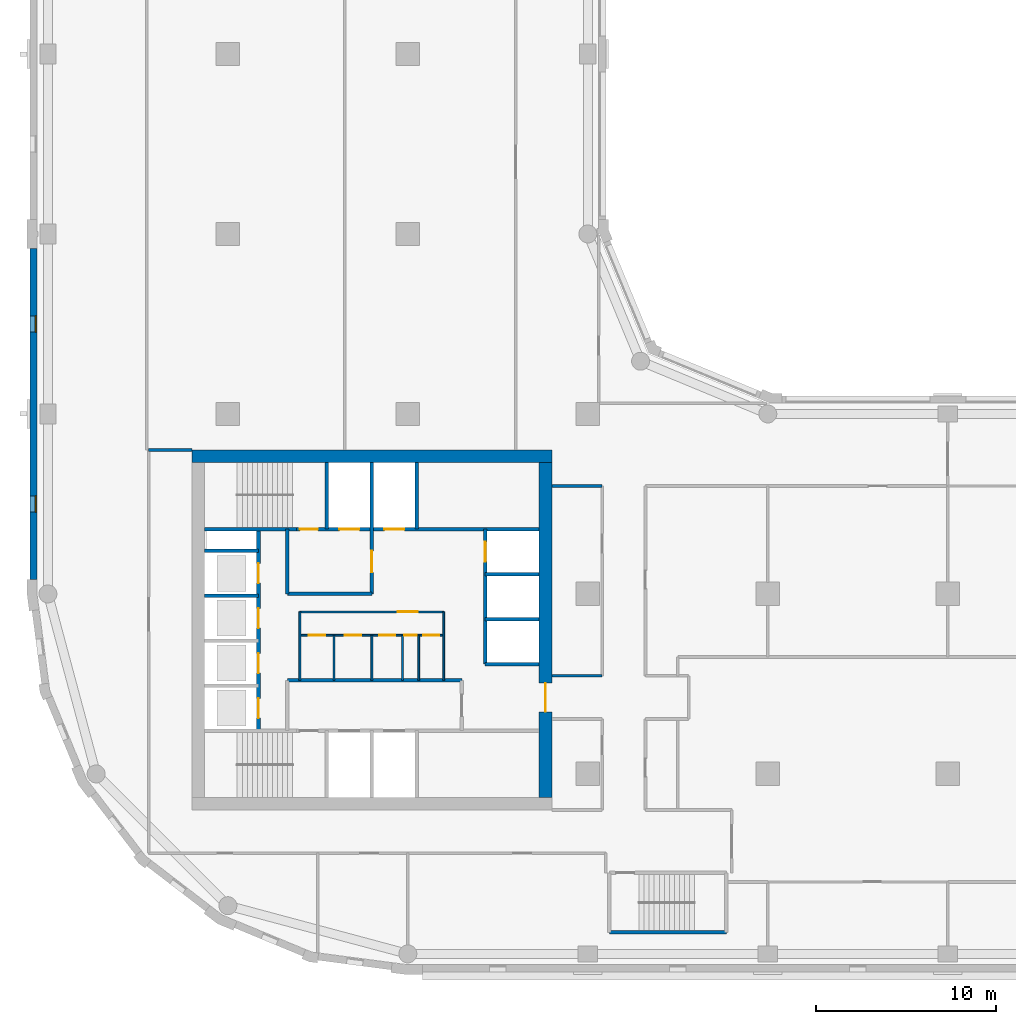
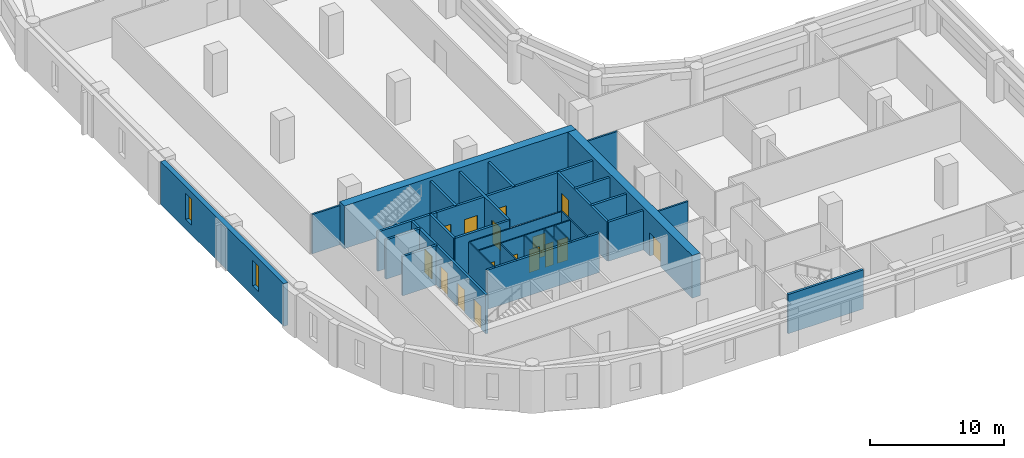
# One storey, part 3 of 9: 30 walls, 16 doors, 2 windows, 18 openings.
"""IFC4 building model written with IfcOpenShell, lengths in metres."""

from ifc_helpers import new_model, si_unit, direction, frame, frame_2d, origin, place, context, subcontext, project, spatial, rectangle, extrude, material, layer, layer_set, type_object, element, fill, save


model = new_model("IFC4")

# Units and contexts
model_context = context("Model", 3, precision=1e-05, world=origin(), true_north=direction((0.0, 1.0)))
body_context = subcontext(model_context, "Body", "Model", "MODEL_VIEW")
ifc_project = project(units=[si_unit("LENGTHUNIT", "METRE"), si_unit("AREAUNIT", "SQUARE_METRE"), si_unit("VOLUMEUNIT", "CUBIC_METRE"), si_unit("PLANEANGLEUNIT", "RADIAN"), si_unit("MASSUNIT", "GRAM", prefix="KILO")], contexts=[model_context])

# Site, building, storey
site_placement = place(None, origin())
site = spatial("IfcSite", under=ifc_project, at=site_placement, CompositionType="ELEMENT")
building_placement = place(site_placement, origin())
building = spatial("IfcBuilding", under=site, at=building_placement, Name="Qaws Garden Tower", CompositionType="ELEMENT")
storey_placement = place(building_placement, frame((0.0, 0.0, 147.300048828125)))
storey = spatial("IfcBuildingStorey", under=building, at=storey_placement, Name="L35", CompositionType="ELEMENT", Elevation=147.300048828125)

# Wall, openings, windows
ifc_material_1 = material(Name="Clay facing brick masonry", Category="masonry")
ifc_layer_1 = layer(ifc_material_1, 0.39990234375)
ifc_layer_set_1 = layer_set([ifc_layer_1], Name="Clay facing brick masonry")
wall_type_1 = type_object("IfcWallType", Name="Brick infill wall 400", PredefinedType="SOLIDWALL", material=ifc_layer_set_1)
wall_1_placement = place(storey_placement, frame((-0.800048828125, 39.199951171875, 0.0), z_axis=(0.0, 0.0, 1.0), x_axis=(0.0, -1.0, 0.0)))
wall_1 = element("IfcWall", 1, at=wall_1_placement, inside=storey, type_object=wall_type_1, Name="E-L35-infill-23", PredefinedType="SOLIDWALL", context=body_context, shape_type="SweptSolid", body=[
    extrude(rectangle(XDim=18.39990234375, YDim=0.39990234375, at=frame_2d((9.199951171875, 0.0))), origin(), (0.0, 0.0, 1.0), 3.89990234375),
])
opening_1_placement = place(wall_1_placement, frame((3.75, 0.0, 0.89990234375)))
opening_1 = element("IfcOpeningElement", 2, at=opening_1_placement, cuts=wall_1, Name="Opening W09", PredefinedType="OPENING", context=body_context, shape_type="SweptSolid", body=[
    extrude(rectangle(XDim=0.89990234375, YDim=2.35009765625, at=frame_2d((0.449951171875, 1.175048828125))), frame((0.0, 0.2099609375, 0.0), z_axis=(0.0, -1.0, 0.0), x_axis=(1.0, 0.0, 0.0)), (0.0, 0.0, 1.0), 0.419921875),
])
opening_2_placement = place(wall_1_placement, frame((13.75, 0.0, 0.89990234375)))
opening_2 = element("IfcOpeningElement", 3, at=opening_2_placement, cuts=wall_1, Name="Opening W09", PredefinedType="OPENING", context=body_context, shape_type="SweptSolid", body=[
    extrude(rectangle(XDim=0.89990234375, YDim=2.35009765625, at=frame_2d((0.449951171875, 1.175048828125))), frame((0.0, 0.2099609375, 0.0), z_axis=(0.0, -1.0, 0.0), x_axis=(1.0, 0.0, 0.0)), (0.0, 0.0, 1.0), 0.419921875),
])
ifc_material_2 = material(Name="Aluminium framed window, clear glazing", Category="aluminium")
window_type = type_object("IfcWindowType", Name="Slit window 900 x 2350", PartitioningType="SINGLE_PANEL", PredefinedType="WINDOW", material=ifc_material_2)
window_1_placement = place(opening_1_placement, origin())
window_1 = element("IfcWindow", 4, at=window_1_placement, inside=storey, type_object=window_type, Name="E-L35-window-23-0", OverallHeight=2.35009765625, OverallWidth=0.89990234375, PartitioningType="SINGLE_PANEL", PredefinedType="WINDOW", context=body_context, shape_type="SweptSolid", body=[
    extrude(rectangle(XDim=0.89990234375, YDim=2.35009765625, at=frame_2d((0.449951171875, 1.175048828125))), frame((0.0, 0.159912109375, 0.0), z_axis=(0.0, -1.0, 0.0), x_axis=(1.0, 0.0, 0.0)), (0.0, 0.0, 1.0), 0.06005859375),
])
fill(opening_1, window_1)
window_2_placement = place(opening_2_placement, origin())
window_2 = element("IfcWindow", 5, at=window_2_placement, inside=storey, type_object=window_type, Name="E-L35-window-24-0", OverallHeight=2.35009765625, OverallWidth=0.89990234375, PartitioningType="SINGLE_PANEL", PredefinedType="WINDOW", context=body_context, shape_type="SweptSolid", body=[
    extrude(rectangle(XDim=0.89990234375, YDim=2.35009765625, at=frame_2d((0.449951171875, 1.175048828125))), frame((0.0, 0.159912109375, 0.0), z_axis=(0.0, -1.0, 0.0), x_axis=(1.0, 0.0, 0.0)), (0.0, 0.0, 1.0), 0.06005859375),
])
fill(opening_2, window_2)

# Wall, openings, doors
ifc_material_3 = material(Name="Plasterboard")
ifc_layer_2 = layer(ifc_material_3, 0.10009765625)
ifc_layer_set_2 = layer_set([ifc_layer_2], Name="Plasterboard")
wall_type_2 = type_object("IfcWallType", Name="Core partition 100", PredefinedType="PARTITIONING", material=ifc_layer_set_2)
wall_2_placement = place(storey_placement, frame((14.0, 17.699951171875, 0.0), z_axis=(0.0, 0.0, 1.0), x_axis=(1.0, 0.0, 0.0)))
wall_2 = element("IfcWall", 6, at=wall_2_placement, inside=storey, type_object=wall_type_2, Name="Core partition", PredefinedType="PARTITIONING", context=body_context, shape_type="SweptSolid", body=[
    extrude(rectangle(XDim=8.0, YDim=0.10009765625, at=frame_2d((4.0, 0.0))), origin(), (0.0, 0.0, 1.0), 3.579833984375),
])
opening_3_placement = place(wall_2_placement, frame((0.5, 0.0, 0.0)))
opening_3 = element("IfcOpeningElement", 7, at=opening_3_placement, cuts=wall_2, Name="Opening WD18", PredefinedType="OPENING", context=body_context, shape_type="SweptSolid", body=[
    extrude(rectangle(XDim=0.89990234375, YDim=2.10009765625, at=frame_2d((0.449951171875, 1.050048828125))), frame((0.0, 0.06005859375, 0.0), z_axis=(0.0, -1.0, 0.0), x_axis=(1.0, 0.0, 0.0)), (0.0, 0.0, 1.0), 0.1201171875),
])
opening_4_placement = place(wall_2_placement, frame((2.5, 0.0, 0.0)))
opening_4 = element("IfcOpeningElement", 8, at=opening_4_placement, cuts=wall_2, Name="Opening WD19", PredefinedType="OPENING", context=body_context, shape_type="SweptSolid", body=[
    extrude(rectangle(XDim=0.89990234375, YDim=2.10009765625, at=frame_2d((0.449951171875, 1.050048828125))), frame((0.0, 0.06005859375, 0.0), z_axis=(0.0, -1.0, 0.0), x_axis=(1.0, 0.0, 0.0)), (0.0, 0.0, 1.0), 0.1201171875),
])
opening_5_placement = place(wall_2_placement, frame((4.39990234375, 0.0, 0.0)))
opening_5 = element("IfcOpeningElement", 9, at=opening_5_placement, cuts=wall_2, Name="Opening WD20", PredefinedType="OPENING", context=body_context, shape_type="SweptSolid", body=[
    extrude(rectangle(XDim=0.89990234375, YDim=2.10009765625, at=frame_2d((0.449951171875, 1.050048828125))), frame((0.0, 0.06005859375, 0.0), z_axis=(0.0, -1.0, 0.0), x_axis=(1.0, 0.0, 0.0)), (0.0, 0.0, 1.0), 0.1201171875),
])
opening_6_placement = place(wall_2_placement, frame((5.800048828125, 0.0, 0.0)))
opening_6 = element("IfcOpeningElement", 10, at=opening_6_placement, cuts=wall_2, Name="Opening XD21", PredefinedType="OPENING", context=body_context, shape_type="SweptSolid", body=[
    extrude(rectangle(XDim=0.699951171875, YDim=2.10009765625, at=frame_2d((0.35009765625, 1.050048828125))), frame((0.0, 0.06005859375, 0.0), z_axis=(0.0, -1.0, 0.0), x_axis=(1.0, 0.0, 0.0)), (0.0, 0.0, 1.0), 0.1201171875),
])
opening_7_placement = place(wall_2_placement, frame((6.85009765625, 0.0, 0.0)))
opening_7 = element("IfcOpeningElement", 11, at=opening_7_placement, cuts=wall_2, Name="Opening WD22", PredefinedType="OPENING", context=body_context, shape_type="SweptSolid", body=[
    extrude(rectangle(XDim=0.89990234375, YDim=2.10009765625, at=frame_2d((0.449951171875, 1.050048828125))), frame((0.0, 0.06005859375, 0.0), z_axis=(0.0, -1.0, 0.0), x_axis=(1.0, 0.0, 0.0)), (0.0, 0.0, 1.0), 0.1201171875),
])
ifc_material_4 = material(Name="Timber", Category="wood")
door_type_1 = type_object("IfcDoorType", Name="Store door 700x2100", OperationType="SINGLE_SWING_LEFT", PredefinedType="DOOR", material=ifc_material_4)
door_1_placement = place(opening_6_placement, frame((0.699951171875, 0.0, 0.0), z_axis=(0.0, 0.0, 1.0), x_axis=(-1.0, 0.0, 0.0)))
door_1 = element("IfcDoor", 12, at=door_1_placement, inside=storey, type_object=door_type_1, Name="Cleaner's store door", OperationType="SINGLE_SWING_LEFT", OverallHeight=2.10009765625, OverallWidth=0.699951171875, PredefinedType="DOOR", context=body_context, shape_type="SweptSolid", body=[
    extrude(rectangle(XDim=0.699951171875, YDim=2.10009765625, at=frame_2d((0.35009765625, 1.050048828125))), frame((0.0, 0.02490234375, 0.0), z_axis=(0.0, -1.0, 0.0), x_axis=(1.0, 0.0, 0.0)), (0.0, 0.0, 1.0), 0.050048828125),
])
fill(opening_6, door_1)
ifc_material_5 = material(Name="Timber", Category="wood")
door_type_2 = type_object("IfcDoorType", Name="WC door 900x2100", OperationType="SINGLE_SWING_LEFT", PredefinedType="DOOR", material=ifc_material_5)
door_2_placement = place(opening_3_placement, frame((0.89990234375, 0.0, 0.0), z_axis=(0.0, 0.0, 1.0), x_axis=(-1.0, 0.0, 0.0)))
door_2 = element("IfcDoor", 13, at=door_2_placement, inside=storey, type_object=door_type_2, Name="Men's WC door", OperationType="SINGLE_SWING_LEFT", OverallHeight=2.10009765625, OverallWidth=0.89990234375, PredefinedType="DOOR", context=body_context, shape_type="SweptSolid", body=[
    extrude(rectangle(XDim=0.89990234375, YDim=2.10009765625, at=frame_2d((0.449951171875, 1.050048828125))), frame((0.0, 0.02490234375, 0.0), z_axis=(0.0, -1.0, 0.0), x_axis=(1.0, 0.0, 0.0)), (0.0, 0.0, 1.0), 0.050048828125),
])
fill(opening_3, door_2)
door_3_placement = place(opening_4_placement, frame((0.89990234375, 0.0, 0.0), z_axis=(0.0, 0.0, 1.0), x_axis=(-1.0, 0.0, 0.0)))
door_3 = element("IfcDoor", 14, at=door_3_placement, inside=storey, type_object=door_type_2, Name="Women's WC door", OperationType="SINGLE_SWING_LEFT", OverallHeight=2.10009765625, OverallWidth=0.89990234375, PredefinedType="DOOR", context=body_context, shape_type="SweptSolid", body=[
    extrude(rectangle(XDim=0.89990234375, YDim=2.10009765625, at=frame_2d((0.449951171875, 1.050048828125))), frame((0.0, 0.02490234375, 0.0), z_axis=(0.0, -1.0, 0.0), x_axis=(1.0, 0.0, 0.0)), (0.0, 0.0, 1.0), 0.050048828125),
])
fill(opening_4, door_3)
door_4_placement = place(opening_5_placement, frame((0.89990234375, 0.0, 0.0), z_axis=(0.0, 0.0, 1.0), x_axis=(-1.0, 0.0, 0.0)))
door_4 = element("IfcDoor", 15, at=door_4_placement, inside=storey, type_object=door_type_2, Name="Accessible WC door", OperationType="SINGLE_SWING_LEFT", OverallHeight=2.10009765625, OverallWidth=0.89990234375, PredefinedType="DOOR", context=body_context, shape_type="SweptSolid", body=[
    extrude(rectangle(XDim=0.89990234375, YDim=2.10009765625, at=frame_2d((0.449951171875, 1.050048828125))), frame((0.0, 0.02490234375, 0.0), z_axis=(0.0, -1.0, 0.0), x_axis=(1.0, 0.0, 0.0)), (0.0, 0.0, 1.0), 0.050048828125),
])
fill(opening_5, door_4)
door_5_placement = place(opening_7_placement, frame((0.89990234375, 0.0, 0.0), z_axis=(0.0, 0.0, 1.0), x_axis=(-1.0, 0.0, 0.0)))
door_5 = element("IfcDoor", 16, at=door_5_placement, inside=storey, type_object=door_type_2, Name="Linen store door", OperationType="SINGLE_SWING_LEFT", OverallHeight=2.10009765625, OverallWidth=0.89990234375, PredefinedType="DOOR", context=body_context, shape_type="SweptSolid", body=[
    extrude(rectangle(XDim=0.89990234375, YDim=2.10009765625, at=frame_2d((0.449951171875, 1.050048828125))), frame((0.0, 0.02490234375, 0.0), z_axis=(0.0, -1.0, 0.0), x_axis=(1.0, 0.0, 0.0)), (0.0, 0.0, 1.0), 0.050048828125),
])
fill(opening_7, door_5)

# Wall, opening, door
wall_3_placement = place(storey_placement, frame((14.0, 19.0, 0.0), z_axis=(0.0, 0.0, 1.0), x_axis=(1.0, 0.0, 0.0)))
wall_3 = element("IfcWall", 17, at=wall_3_placement, inside=storey, type_object=wall_type_2, Name="Core partition", PredefinedType="PARTITIONING", context=body_context, shape_type="SweptSolid", body=[
    extrude(rectangle(XDim=8.0, YDim=0.10009765625, at=frame_2d((4.0, 0.0))), origin(), (0.0, 0.0, 1.0), 3.579833984375),
])
opening_8_placement = place(wall_3_placement, frame((5.449951171875, 0.0, 0.0)))
opening_8 = element("IfcOpeningElement", 18, at=opening_8_placement, cuts=wall_3, Name="Opening WL17", PredefinedType="OPENING", context=body_context, shape_type="SweptSolid", body=[
    extrude(rectangle(XDim=1.10009765625, YDim=2.10009765625, at=frame_2d((0.550048828125, 1.050048828125))), frame((0.0, 0.06005859375, 0.0), z_axis=(0.0, -1.0, 0.0), x_axis=(1.0, 0.0, 0.0)), (0.0, 0.0, 1.0), 0.1201171875),
])
ifc_material_6 = material(Name="Timber", Category="wood")
door_type_3 = type_object("IfcDoorType", Name="WC lobby door 1100x2100", OperationType="SINGLE_SWING_LEFT", PredefinedType="DOOR", material=ifc_material_6)
door_6_placement = place(opening_8_placement, frame((1.10009765625, 0.0, 0.0), z_axis=(0.0, 0.0, 1.0), x_axis=(-1.0, 0.0, 0.0)))
door_6 = element("IfcDoor", 19, at=door_6_placement, inside=storey, type_object=door_type_3, Name="WC lobby door", OperationType="SINGLE_SWING_LEFT", OverallHeight=2.10009765625, OverallWidth=1.10009765625, PredefinedType="DOOR", context=body_context, shape_type="SweptSolid", body=[
    extrude(rectangle(XDim=1.10009765625, YDim=2.10009765625, at=frame_2d((0.550048828125, 1.050048828125))), frame((0.0, 0.02490234375, 0.0), z_axis=(0.0, -1.0, 0.0), x_axis=(1.0, 0.0, 0.0)), (0.0, 0.0, 1.0), 0.050048828125),
])
fill(opening_8, door_6)

# Walls
wall_4_placement = place(storey_placement, frame((14.0, 15.199951171875, 0.0), z_axis=(0.0, 0.0, 1.0), x_axis=(0.0, 1.0, 0.0)))
element("IfcWall", 20, at=wall_4_placement, inside=storey, type_object=wall_type_2, Name="Core partition", PredefinedType="PARTITIONING", context=body_context, shape_type="SweptSolid", body=[
    extrude(rectangle(XDim=3.800048828125, YDim=0.10009765625, at=frame_2d((1.89990234375, 0.0))), origin(), (0.0, 0.0, 1.0), 3.579833984375),
])
for number, where, z_axis, x_axis, name in (
    (21, (15.89990234375, 15.199951171875, 0.0), (0.0, 0.0, 1.0), (0.0, 1.0, 0.0), "Core partition"),
    (22, (18.0, 15.199951171875, 0.0), (0.0, 0.0, 1.0), (0.0, 1.0, 0.0), "Core partition"),
    (23, (19.699951171875, 15.199951171875, 0.0), (0.0, 0.0, 1.0), (0.0, 1.0, 0.0), "Core partition"),
    (24, (20.60009765625, 15.199951171875, 0.0), (0.0, 0.0, 1.0), (0.0, 1.0, 0.0), "Core partition"),
):
    element("IfcWall", number, at=place(storey_placement, frame(where, z_axis=z_axis, x_axis=x_axis)), inside=storey, type_object=wall_type_2, Name=name, PredefinedType="PARTITIONING", context=body_context, shape_type="SweptSolid", body=[
        extrude(rectangle(XDim=2.5, YDim=0.10009765625, at=frame_2d((1.25, 0.0))), origin(), (0.0, 0.0, 1.0), 3.579833984375),
    ])
wall_5_placement = place(storey_placement, frame((22.0, 15.199951171875, 0.0), z_axis=(0.0, 0.0, 1.0), x_axis=(0.0, 1.0, 0.0)))
element("IfcWall", 25, at=wall_5_placement, inside=storey, type_object=wall_type_2, Name="Core partition", PredefinedType="PARTITIONING", context=body_context, shape_type="SweptSolid", body=[
    extrude(rectangle(XDim=3.800048828125, YDim=0.10009765625, at=frame_2d((1.89990234375, 0.0))), origin(), (0.0, 0.0, 1.0), 3.579833984375),
])
ifc_material_7 = material(Name="Concrete C70", Category="concrete")
ifc_layer_3 = layer(ifc_material_7, 0.199951171875)
ifc_layer_set_3 = layer_set([ifc_layer_3], Name="Concrete C70")
wall_type_3 = type_object("IfcWallType", Name="Core shaft wall 200 C70", PredefinedType="SHEAR", material=ifc_layer_set_3)
wall_6_placement = place(storey_placement, frame((31.199951171875, 1.199951171875, 0.0), z_axis=(0.0, 0.0, 1.0), x_axis=(1.0, 0.0, 0.0)))
element("IfcWall", 26, at=wall_6_placement, inside=storey, type_object=wall_type_3, Name="Shaft wall", PredefinedType="SHEAR", context=body_context, shape_type="SweptSolid", body=[
    extrude(rectangle(XDim=6.5, YDim=0.199951171875, at=frame_2d((3.25, 0.0))), origin(), (0.0, 0.0, 1.0), 3.579833984375),
])
wall_7_placement = place(storey_placement, frame((13.300048828125, 15.199951171875, 0.0), z_axis=(0.0, 0.0, 1.0), x_axis=(1.0, 0.0, 0.0)))
element("IfcWall", 27, at=wall_7_placement, inside=storey, type_object=wall_type_3, Name="Shaft wall", PredefinedType="SHEAR", context=body_context, shape_type="SweptSolid", body=[
    extrude(rectangle(XDim=9.699951171875, YDim=0.199951171875, at=frame_2d((4.85009765625, 0.0))), origin(), (0.0, 0.0, 1.0), 3.579833984375),
])
for number, where, z_axis, x_axis, name in (
    (28, (24.300048828125, 16.10009765625, 0.0), (0.0, 0.0, 1.0), (1.0, 0.0, 0.0), "Shaft wall"),
    (29, (24.300048828125, 18.60009765625, 0.0), (0.0, 0.0, 1.0), (1.0, 0.0, 0.0), "Shaft wall"),
    (30, (8.699951171875, 19.89990234375, 0.0), (0.0, 0.0, 1.0), (1.0, 0.0, 0.0), "Shaft wall"),
):
    element("IfcWall", number, at=place(storey_placement, frame(where, z_axis=z_axis, x_axis=x_axis)), inside=storey, type_object=wall_type_3, Name=name, PredefinedType="SHEAR", context=body_context, shape_type="SweptSolid", body=[
        extrude(rectangle(XDim=3.0, YDim=0.199951171875, at=frame_2d((1.5, 0.0))), origin(), (0.0, 0.0, 1.0), 3.579833984375),
    ])
wall_8_placement = place(storey_placement, frame((13.300048828125, 20.0, 0.0), z_axis=(0.0, 0.0, 1.0), x_axis=(1.0, 0.0, 0.0)))
element("IfcWall", 31, at=wall_8_placement, inside=storey, type_object=wall_type_3, Name="Shaft wall", PredefinedType="SHEAR", context=body_context, shape_type="SweptSolid", body=[
    extrude(rectangle(XDim=4.699951171875, YDim=0.199951171875, at=frame_2d((2.35009765625, 0.0))), origin(), (0.0, 0.0, 1.0), 3.579833984375),
])
for number, where, z_axis, x_axis, name in (
    (32, (24.300048828125, 21.10009765625, 0.0), (0.0, 0.0, 1.0), (1.0, 0.0, 0.0), "Shaft wall"),
    (33, (8.699951171875, 22.39990234375, 0.0), (0.0, 0.0, 1.0), (1.0, 0.0, 0.0), "Shaft wall"),
):
    element("IfcWall", number, at=place(storey_placement, frame(where, z_axis=z_axis, x_axis=x_axis)), inside=storey, type_object=wall_type_3, Name=name, PredefinedType="SHEAR", context=body_context, shape_type="SweptSolid", body=[
        extrude(rectangle(XDim=3.0, YDim=0.199951171875, at=frame_2d((1.5, 0.0))), origin(), (0.0, 0.0, 1.0), 3.579833984375),
    ])
wall_9_placement = place(storey_placement, frame((8.699951171875, 23.60009765625, 0.0), z_axis=(0.0, 0.0, 1.0), x_axis=(1.0, 0.0, 0.0)))
element("IfcWall", 34, at=wall_9_placement, inside=storey, type_object=wall_type_3, Name="Shaft wall", PredefinedType="SHEAR", context=body_context, shape_type="SweptSolid", body=[
    extrude(rectangle(XDim=5.10009765625, YDim=0.199951171875, at=frame_2d((2.550048828125, 0.0))), origin(), (0.0, 0.0, 1.0), 3.579833984375),
])

# Wall, openings, doors
wall_10_placement = place(storey_placement, frame((13.800048828125, 23.60009765625, 0.0), z_axis=(0.0, 0.0, 1.0), x_axis=(1.0, 0.0, 0.0)))
wall_10 = element("IfcWall", 35, at=wall_10_placement, inside=storey, type_object=wall_type_3, Name="Shaft wall", PredefinedType="SHEAR", context=body_context, shape_type="SweptSolid", body=[
    extrude(rectangle(XDim=13.5, YDim=0.199951171875, at=frame_2d((6.75, 0.0))), origin(), (0.0, 0.0, 1.0), 3.579833984375),
])
opening_9_placement = place(wall_10_placement, frame((2.39990234375, 0.0, 0.0)))
opening_9 = element("IfcOpeningElement", 36, at=opening_9_placement, cuts=wall_10, Name="Opening LD08", PredefinedType="OPENING", context=body_context, shape_type="SweptSolid", body=[
    extrude(rectangle(XDim=1.10009765625, YDim=2.10009765625, at=frame_2d((0.550048828125, 1.050048828125))), frame((0.0, 0.10986328125, 0.0), z_axis=(0.0, -1.0, 0.0), x_axis=(1.0, 0.0, 0.0)), (0.0, 0.0, 1.0), 0.219970703125),
])
opening_10_placement = place(wall_10_placement, frame((4.89990234375, 0.0, 0.0)))
opening_10 = element("IfcOpeningElement", 37, at=opening_10_placement, cuts=wall_10, Name="Opening LD09", PredefinedType="OPENING", context=body_context, shape_type="SweptSolid", body=[
    extrude(rectangle(XDim=1.10009765625, YDim=2.10009765625, at=frame_2d((0.550048828125, 1.050048828125))), frame((0.0, 0.10986328125, 0.0), z_axis=(0.0, -1.0, 0.0), x_axis=(1.0, 0.0, 0.0)), (0.0, 0.0, 1.0), 0.219970703125),
])
opening_11_placement = place(wall_10_placement, frame((0.199951171875, 0.0, 0.0)))
opening_11 = element("IfcOpeningElement", 38, at=opening_11_placement, cuts=wall_10, Name="Opening SD11", PredefinedType="OPENING", context=body_context, shape_type="SweptSolid", body=[
    extrude(rectangle(XDim=1.0, YDim=2.10009765625, at=frame_2d((0.5, 1.050048828125))), frame((0.0, 0.10986328125, 0.0), z_axis=(0.0, -1.0, 0.0), x_axis=(1.0, 0.0, 0.0)), (0.0, 0.0, 1.0), 0.219970703125),
])
ifc_material_8 = material(Name="Steel S235", Category="steel")
door_type_4 = type_object("IfcDoorType", Name="Landing door 1100x2100", OperationType="DOUBLE_DOOR_SLIDING", PredefinedType="DOOR", material=ifc_material_8)
door_7_placement = place(opening_9_placement, origin())
door_7 = element("IfcDoor", 39, at=door_7_placement, inside=storey, type_object=door_type_4, Name="Lift FF3 landing door", OperationType="DOUBLE_DOOR_SLIDING", OverallHeight=2.10009765625, OverallWidth=1.10009765625, PredefinedType="DOOR", context=body_context, shape_type="SweptSolid", body=[
    extrude(rectangle(XDim=1.10009765625, YDim=2.10009765625, at=frame_2d((0.550048828125, 1.050048828125))), frame((0.0, 0.02490234375, 0.0), z_axis=(0.0, -1.0, 0.0), x_axis=(1.0, 0.0, 0.0)), (0.0, 0.0, 1.0), 0.050048828125),
])
fill(opening_9, door_7)
door_8_placement = place(opening_10_placement, origin())
door_8 = element("IfcDoor", 40, at=door_8_placement, inside=storey, type_object=door_type_4, Name="Lift SV2 landing door", OperationType="DOUBLE_DOOR_SLIDING", OverallHeight=2.10009765625, OverallWidth=1.10009765625, PredefinedType="DOOR", context=body_context, shape_type="SweptSolid", body=[
    extrude(rectangle(XDim=1.10009765625, YDim=2.10009765625, at=frame_2d((0.550048828125, 1.050048828125))), frame((0.0, 0.02490234375, 0.0), z_axis=(0.0, -1.0, 0.0), x_axis=(1.0, 0.0, 0.0)), (0.0, 0.0, 1.0), 0.050048828125),
])
fill(opening_10, door_8)
ifc_material_9 = material(Name="Steel S235", Category="steel")
door_type_5 = type_object("IfcDoorType", Name="Stair door 1000x2100", OperationType="SINGLE_SWING_RIGHT", PredefinedType="DOOR", material=ifc_material_9)
door_9_placement = place(opening_11_placement, origin())
door_9 = element("IfcDoor", 41, at=door_9_placement, inside=storey, type_object=door_type_5, Name="Stair 4 door", OperationType="SINGLE_SWING_RIGHT", OverallHeight=2.10009765625, OverallWidth=1.0, PredefinedType="DOOR", context=body_context, shape_type="SweptSolid", body=[
    extrude(rectangle(XDim=1.0, YDim=2.10009765625, at=frame_2d((0.5, 1.050048828125))), frame((0.0, 0.02490234375, 0.0), z_axis=(0.0, -1.0, 0.0), x_axis=(1.0, 0.0, 0.0)), (0.0, 0.0, 1.0), 0.050048828125),
])
fill(opening_11, door_9)

wall_11_placement = place(storey_placement, frame((11.699951171875, 12.39990234375, 0.0), z_axis=(0.0, 0.0, 1.0), x_axis=(0.0, 1.0, 0.0)))
wall_11 = element("IfcWall", 42, at=wall_11_placement, inside=storey, type_object=wall_type_3, Name="Shaft wall", PredefinedType="SHEAR", context=body_context, shape_type="SweptSolid", body=[
    extrude(rectangle(XDim=11.2001953125, YDim=0.199951171875, at=frame_2d((5.60009765625, 0.0))), origin(), (0.0, 0.0, 1.0), 3.579833984375),
])
opening_12_placement = place(wall_11_placement, frame((0.699951171875, 0.0, 0.0)))
opening_12 = element("IfcOpeningElement", 43, at=opening_12_placement, cuts=wall_11, Name="Opening LD01", PredefinedType="OPENING", context=body_context, shape_type="SweptSolid", body=[
    extrude(rectangle(XDim=1.10009765625, YDim=2.10009765625, at=frame_2d((0.550048828125, 1.050048828125))), frame((0.0, 0.10986328125, 0.0), z_axis=(0.0, -1.0, 0.0), x_axis=(1.0, 0.0, 0.0)), (0.0, 0.0, 1.0), 0.219970703125),
])
opening_13_placement = place(wall_11_placement, frame((3.199951171875, 0.0, 0.0)))
opening_13 = element("IfcOpeningElement", 44, at=opening_13_placement, cuts=wall_11, Name="Opening LD02", PredefinedType="OPENING", context=body_context, shape_type="SweptSolid", body=[
    extrude(rectangle(XDim=1.10009765625, YDim=2.10009765625, at=frame_2d((0.550048828125, 1.050048828125))), frame((0.0, 0.10986328125, 0.0), z_axis=(0.0, -1.0, 0.0), x_axis=(1.0, 0.0, 0.0)), (0.0, 0.0, 1.0), 0.219970703125),
])
opening_14_placement = place(wall_11_placement, frame((5.699951171875, 0.0, 0.0)))
opening_14 = element("IfcOpeningElement", 45, at=opening_14_placement, cuts=wall_11, Name="Opening LD03", PredefinedType="OPENING", context=body_context, shape_type="SweptSolid", body=[
    extrude(rectangle(XDim=1.10009765625, YDim=2.10009765625, at=frame_2d((0.550048828125, 1.050048828125))), frame((0.0, 0.10986328125, 0.0), z_axis=(0.0, -1.0, 0.0), x_axis=(1.0, 0.0, 0.0)), (0.0, 0.0, 1.0), 0.219970703125),
])
opening_15_placement = place(wall_11_placement, frame((8.199951171875, 0.0, 0.0)))
opening_15 = element("IfcOpeningElement", 46, at=opening_15_placement, cuts=wall_11, Name="Opening LD04", PredefinedType="OPENING", context=body_context, shape_type="SweptSolid", body=[
    extrude(rectangle(XDim=1.10009765625, YDim=2.10009765625, at=frame_2d((0.550048828125, 1.050048828125))), frame((0.0, 0.10986328125, 0.0), z_axis=(0.0, -1.0, 0.0), x_axis=(1.0, 0.0, 0.0)), (0.0, 0.0, 1.0), 0.219970703125),
])
door_10_placement = place(opening_12_placement, origin())
door_10 = element("IfcDoor", 47, at=door_10_placement, inside=storey, type_object=door_type_4, Name="Lift W1 landing door", OperationType="DOUBLE_DOOR_SLIDING", OverallHeight=2.10009765625, OverallWidth=1.10009765625, PredefinedType="DOOR", context=body_context, shape_type="SweptSolid", body=[
    extrude(rectangle(XDim=1.10009765625, YDim=2.10009765625, at=frame_2d((0.550048828125, 1.050048828125))), frame((0.0, 0.02490234375, 0.0), z_axis=(0.0, -1.0, 0.0), x_axis=(1.0, 0.0, 0.0)), (0.0, 0.0, 1.0), 0.050048828125),
])
fill(opening_12, door_10)
door_11_placement = place(opening_13_placement, origin())
door_11 = element("IfcDoor", 48, at=door_11_placement, inside=storey, type_object=door_type_4, Name="Lift W2 landing door", OperationType="DOUBLE_DOOR_SLIDING", OverallHeight=2.10009765625, OverallWidth=1.10009765625, PredefinedType="DOOR", context=body_context, shape_type="SweptSolid", body=[
    extrude(rectangle(XDim=1.10009765625, YDim=2.10009765625, at=frame_2d((0.550048828125, 1.050048828125))), frame((0.0, 0.02490234375, 0.0), z_axis=(0.0, -1.0, 0.0), x_axis=(1.0, 0.0, 0.0)), (0.0, 0.0, 1.0), 0.050048828125),
])
fill(opening_13, door_11)
door_12_placement = place(opening_14_placement, origin())
door_12 = element("IfcDoor", 49, at=door_12_placement, inside=storey, type_object=door_type_4, Name="Lift W3 landing door", OperationType="DOUBLE_DOOR_SLIDING", OverallHeight=2.10009765625, OverallWidth=1.10009765625, PredefinedType="DOOR", context=body_context, shape_type="SweptSolid", body=[
    extrude(rectangle(XDim=1.10009765625, YDim=2.10009765625, at=frame_2d((0.550048828125, 1.050048828125))), frame((0.0, 0.02490234375, 0.0), z_axis=(0.0, -1.0, 0.0), x_axis=(1.0, 0.0, 0.0)), (0.0, 0.0, 1.0), 0.050048828125),
])
fill(opening_14, door_12)
door_13_placement = place(opening_15_placement, origin())
door_13 = element("IfcDoor", 50, at=door_13_placement, inside=storey, type_object=door_type_4, Name="Lift W4 landing door", OperationType="DOUBLE_DOOR_SLIDING", OverallHeight=2.10009765625, OverallWidth=1.10009765625, PredefinedType="DOOR", context=body_context, shape_type="SweptSolid", body=[
    extrude(rectangle(XDim=1.10009765625, YDim=2.10009765625, at=frame_2d((0.550048828125, 1.050048828125))), frame((0.0, 0.02490234375, 0.0), z_axis=(0.0, -1.0, 0.0), x_axis=(1.0, 0.0, 0.0)), (0.0, 0.0, 1.0), 0.050048828125),
])
fill(opening_15, door_13)

# Walls
wall_12_placement = place(storey_placement, frame((13.300048828125, 20.0, 0.0), z_axis=(0.0, 0.0, 1.0), x_axis=(0.0, 1.0, 0.0)))
element("IfcWall", 51, at=wall_12_placement, inside=storey, type_object=wall_type_3, Name="Shaft wall", PredefinedType="SHEAR", context=body_context, shape_type="SweptSolid", body=[
    extrude(rectangle(XDim=3.60009765625, YDim=0.199951171875, at=frame_2d((1.800048828125, 0.0))), origin(), (0.0, 0.0, 1.0), 3.579833984375),
])
wall_13_placement = place(storey_placement, frame((15.5, 23.60009765625, 0.0), z_axis=(0.0, 0.0, 1.0), x_axis=(0.0, 1.0, 0.0)))
element("IfcWall", 52, at=wall_13_placement, inside=storey, type_object=wall_type_3, Name="Shaft wall", PredefinedType="SHEAR", context=body_context, shape_type="SweptSolid", body=[
    extrude(rectangle(XDim=3.699951171875, YDim=0.199951171875, at=frame_2d((1.85009765625, 0.0))), origin(), (0.0, 0.0, 1.0), 3.579833984375),
])

# Wall, opening, door
wall_14_placement = place(storey_placement, frame((18.0, 20.0, 0.0), z_axis=(0.0, 0.0, 1.0), x_axis=(0.0, 1.0, 0.0)))
wall_14 = element("IfcWall", 53, at=wall_14_placement, inside=storey, type_object=wall_type_3, Name="Shaft wall", PredefinedType="SHEAR", context=body_context, shape_type="SweptSolid", body=[
    extrude(rectangle(XDim=7.300048828125, YDim=0.199951171875, at=frame_2d((3.64990234375, 0.0))), origin(), (0.0, 0.0, 1.0), 3.579833984375),
])
opening_16_placement = place(wall_14_placement, frame((1.199951171875, 0.0, 0.0)))
opening_16 = element("IfcOpeningElement", 54, at=opening_16_placement, cuts=wall_14, Name="Opening FD16", PredefinedType="OPENING", context=body_context, shape_type="SweptSolid", body=[
    extrude(rectangle(XDim=1.199951171875, YDim=2.10009765625, at=frame_2d((0.60009765625, 1.050048828125))), frame((0.0, 0.10986328125, 0.0), z_axis=(0.0, -1.0, 0.0), x_axis=(1.0, 0.0, 0.0)), (0.0, 0.0, 1.0), 0.219970703125),
])
ifc_material_10 = material(Name="Steel S235", Category="steel")
door_type_6 = type_object("IfcDoorType", Name="Lobby door 1200x2100", OperationType="DOUBLE_DOOR_SINGLE_SWING", PredefinedType="DOOR", material=ifc_material_10)
door_14_placement = place(opening_16_placement, origin())
door_14 = element("IfcDoor", 55, at=door_14_placement, inside=storey, type_object=door_type_6, Name="Fire-fighting lobby door", OperationType="DOUBLE_DOOR_SINGLE_SWING", OverallHeight=2.10009765625, OverallWidth=1.199951171875, PredefinedType="DOOR", context=body_context, shape_type="SweptSolid", body=[
    extrude(rectangle(XDim=1.199951171875, YDim=2.10009765625, at=frame_2d((0.60009765625, 1.050048828125))), frame((0.0, 0.02490234375, 0.0), z_axis=(0.0, -1.0, 0.0), x_axis=(1.0, 0.0, 0.0)), (0.0, 0.0, 1.0), 0.050048828125),
])
fill(opening_16, door_14)

# Wall
wall_15_placement = place(storey_placement, frame((20.5, 23.60009765625, 0.0), z_axis=(0.0, 0.0, 1.0), x_axis=(0.0, 1.0, 0.0)))
element("IfcWall", 56, at=wall_15_placement, inside=storey, type_object=wall_type_3, Name="Shaft wall", PredefinedType="SHEAR", context=body_context, shape_type="SweptSolid", body=[
    extrude(rectangle(XDim=3.699951171875, YDim=0.199951171875, at=frame_2d((1.85009765625, 0.0))), origin(), (0.0, 0.0, 1.0), 3.579833984375),
])

# Wall, opening, door
wall_16_placement = place(storey_placement, frame((24.300048828125, 16.10009765625, 0.0), z_axis=(0.0, 0.0, 1.0), x_axis=(0.0, 1.0, 0.0)))
wall_16 = element("IfcWall", 57, at=wall_16_placement, inside=storey, type_object=wall_type_3, Name="Shaft wall", PredefinedType="SHEAR", context=body_context, shape_type="SweptSolid", body=[
    extrude(rectangle(XDim=7.5, YDim=0.199951171875, at=frame_2d((3.75, 0.0))), origin(), (0.0, 0.0, 1.0), 3.579833984375),
])
opening_17_placement = place(wall_16_placement, frame((5.699951171875, 0.0, 0.0)))
opening_17 = element("IfcOpeningElement", 58, at=opening_17_placement, cuts=wall_16, Name="Opening LD05", PredefinedType="OPENING", context=body_context, shape_type="SweptSolid", body=[
    extrude(rectangle(XDim=1.10009765625, YDim=2.10009765625, at=frame_2d((0.550048828125, 1.050048828125))), frame((0.0, 0.10986328125, 0.0), z_axis=(0.0, -1.0, 0.0), x_axis=(1.0, 0.0, 0.0)), (0.0, 0.0, 1.0), 0.219970703125),
])
door_15_placement = place(opening_17_placement, origin())
door_15 = element("IfcDoor", 59, at=door_15_placement, inside=storey, type_object=door_type_4, Name="Lift E3 landing door", OperationType="DOUBLE_DOOR_SLIDING", OverallHeight=2.10009765625, OverallWidth=1.10009765625, PredefinedType="DOOR", context=body_context, shape_type="SweptSolid", body=[
    extrude(rectangle(XDim=1.10009765625, YDim=2.10009765625, at=frame_2d((0.550048828125, 1.050048828125))), frame((0.0, 0.02490234375, 0.0), z_axis=(0.0, -1.0, 0.0), x_axis=(1.0, 0.0, 0.0)), (0.0, 0.0, 1.0), 0.050048828125),
])
fill(opening_17, door_15)

ifc_material_11 = material(Name="Concrete C70", Category="concrete")
ifc_layer_4 = layer(ifc_material_11, 0.699951171875)
ifc_layer_set_4 = layer_set([ifc_layer_4], Name="Concrete C70")
wall_type_4 = type_object("IfcWallType", Name="Core wall 700 C70", PredefinedType="SHEAR", material=ifc_layer_set_4)
wall_17_placement = place(storey_placement, frame((27.64990234375, 8.699951171875, 0.0), z_axis=(0.0, 0.0, 1.0), x_axis=(0.0, 1.0, 0.0)))
wall_17 = element("IfcWall", 60, at=wall_17_placement, inside=storey, type_object=wall_type_4, Name="Core wall L35 east", PredefinedType="SHEAR", context=body_context, shape_type="SweptSolid", body=[
    extrude(rectangle(XDim=18.60009765625, YDim=0.699951171875, at=frame_2d((9.300048828125, 0.0))), origin(), (0.0, 0.0, 1.0), 3.89990234375),
])
opening_18_placement = place(wall_17_placement, frame((4.75, 0.0, 0.0)))
opening_18 = element("IfcOpeningElement", 61, at=opening_18_placement, cuts=wall_17, Name="Opening ED23", PredefinedType="OPENING", context=body_context, shape_type="SweptSolid", body=[
    extrude(rectangle(XDim=1.60009765625, YDim=2.10009765625, at=frame_2d((0.800048828125, 1.050048828125))), frame((0.0, 0.35986328125, 0.0), z_axis=(0.0, -1.0, 0.0), x_axis=(1.0, 0.0, 0.0)), (0.0, 0.0, 1.0), 0.719970703125),
])
ifc_material_12 = material(Name="Steel S235", Category="steel")
door_type_7 = type_object("IfcDoorType", Name="Core entrance door 1600x2100", OperationType="DOUBLE_DOOR_SINGLE_SWING", PredefinedType="DOOR", material=ifc_material_12)
door_16_placement = place(opening_18_placement, origin())
door_16 = element("IfcDoor", 62, at=door_16_placement, inside=storey, type_object=door_type_7, Name="Core entrance door", OperationType="DOUBLE_DOOR_SINGLE_SWING", OverallHeight=2.10009765625, OverallWidth=1.60009765625, PredefinedType="DOOR", context=body_context, shape_type="SweptSolid", body=[
    extrude(rectangle(XDim=1.60009765625, YDim=2.10009765625, at=frame_2d((0.800048828125, 1.050048828125))), frame((0.0, 0.02490234375, 0.0), z_axis=(0.0, -1.0, 0.0), x_axis=(1.0, 0.0, 0.0)), (0.0, 0.0, 1.0), 0.050048828125),
])
fill(opening_18, door_16)

# Walls
wall_18_placement = place(storey_placement, frame((28.0, 27.64990234375, 0.0), z_axis=(0.0, 0.0, 1.0), x_axis=(-1.0, 0.0, 0.0)))
element("IfcWall", 63, at=wall_18_placement, inside=storey, type_object=wall_type_4, Name="Core wall L35 north", PredefinedType="SHEAR", context=body_context, shape_type="SweptSolid", body=[
    extrude(rectangle(XDim=20.0, YDim=0.699951171875, at=frame_2d((10.0, 0.0))), origin(), (0.0, 0.0, 1.0), 3.89990234375),
])
ifc_material_13 = material(Name="Gypsum board partition")
ifc_layer_5 = layer(ifc_material_13, 0.14990234375)
ifc_layer_set_5 = layer_set([ifc_layer_5], Name="Gypsum board partition")
wall_type_5 = type_object("IfcWallType", Name="PARTITION 150 EI 60", PredefinedType="PARTITIONING", material=ifc_layer_set_5)
for number, where, z_axis, x_axis, name in (
    (64, (28.0, 15.449951171875, 0.0), (0.0, 0.0, 1.0), (1.0, 0.0, 0.0), "O-L35-wall-038"),
    (65, (28.0, 26.0, 0.0), (0.0, 0.0, 1.0), (1.0, 0.0, 0.0), "O-L35-wall-041"),
):
    element("IfcWall", number, at=place(storey_placement, frame(where, z_axis=z_axis, x_axis=x_axis)), inside=storey, type_object=wall_type_5, Name=name, PredefinedType="PARTITIONING", context=body_context, shape_type="SweptSolid", body=[
        extrude(rectangle(XDim=2.799072265625, YDim=0.14990234375, at=frame_2d((1.3994140625, 0.0))), origin(), (0.0, 0.0, 1.0), 3.579833984375),
    ])
wall_19_placement = place(storey_placement, frame((5.60009765625, 28.0, 0.0), z_axis=(0.0, 0.0, 1.0), x_axis=(1.0, 0.0, 0.0)))
element("IfcWall", 66, at=wall_19_placement, inside=storey, type_object=wall_type_5, Name="O-L35-wall-043", PredefinedType="PARTITIONING", context=body_context, shape_type="SweptSolid", body=[
    extrude(rectangle(XDim=2.39990234375, YDim=0.14990234375, at=frame_2d((1.199951171875, 0.0))), origin(), (0.0, 0.0, 1.0), 3.579833984375),
])

save(model, "model.ifc")
